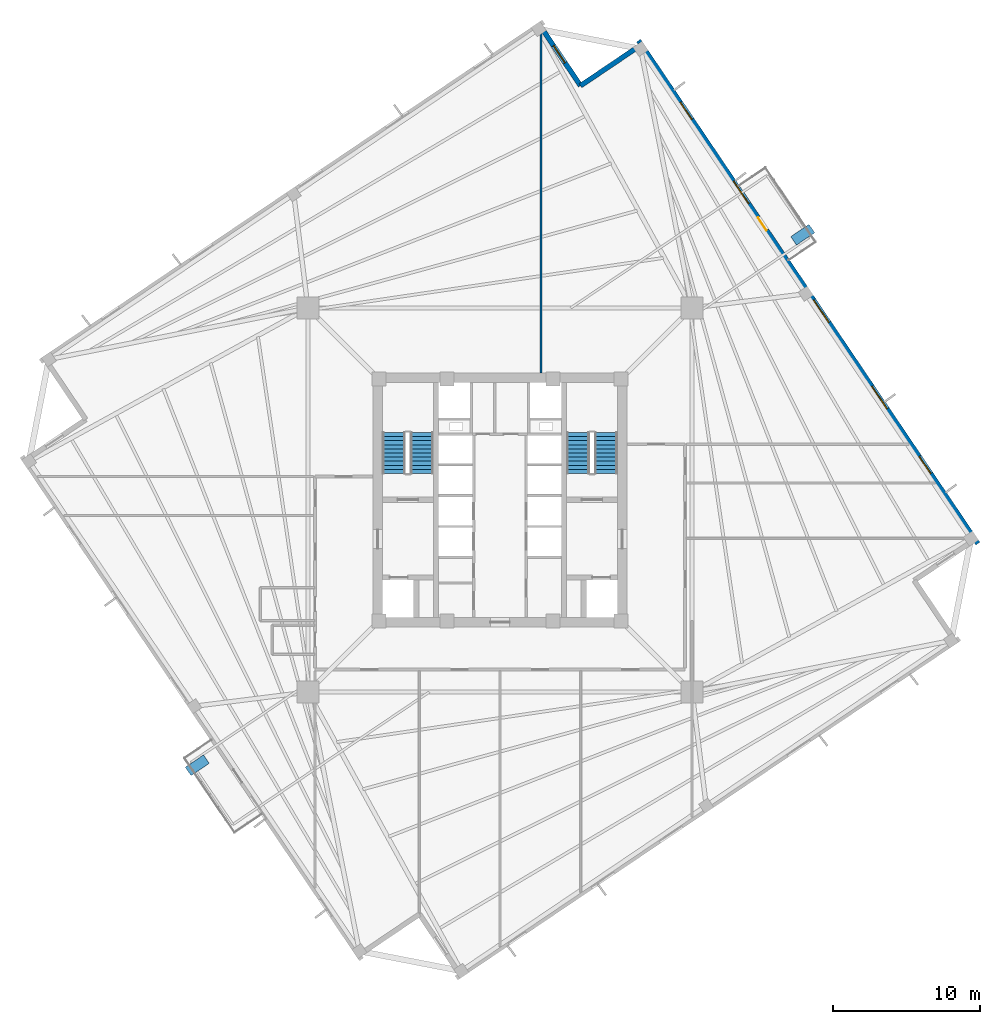
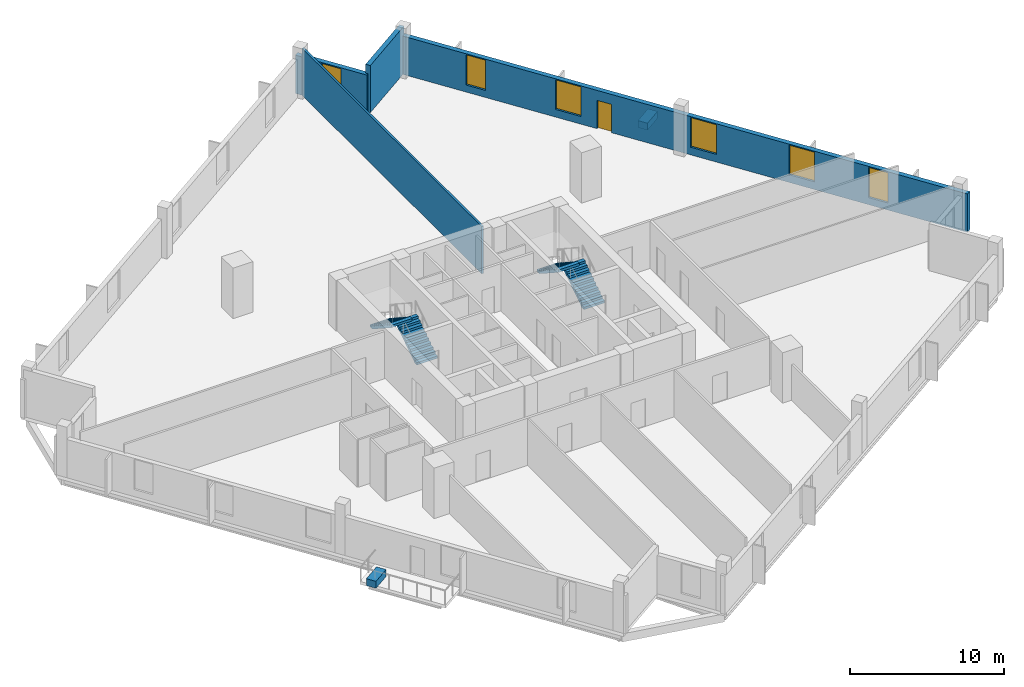
# One storey, part 6 of 9: 6 windows, 4 stair flights, 4 walls, 2 discrete accessories, 1 door, 7 openings, 2 elements without a shape of their own.
"""IFC4 building model written with IfcOpenShell, lengths in metres."""

from ifc_helpers import new_model, si_unit, direction, frame, frame_2d, origin, origin_2d, place, context, subcontext, project, spatial, polyline, rectangle, outline, extrude, source, transform, mapped, material, layer, layer_set, type_object, element, fill, aggregate, save


model = new_model("IFC4")

# Units and contexts
model_context = context("Model", 3, precision=1e-05, world=origin(), true_north=direction((0.0, 1.0)))
body_context = subcontext(model_context, "Body", "Model", "MODEL_VIEW")
ifc_project = project(units=[si_unit("LENGTHUNIT", "METRE"), si_unit("AREAUNIT", "SQUARE_METRE"), si_unit("VOLUMEUNIT", "CUBIC_METRE"), si_unit("PLANEANGLEUNIT", "RADIAN"), si_unit("MASSUNIT", "GRAM", prefix="KILO"), si_unit("THERMODYNAMICTEMPERATUREUNIT", "KELVIN")], contexts=[model_context])

# Site, building, storey
site_placement = place(None, origin())
site = spatial("IfcSite", under=ifc_project, at=site_placement, CompositionType="ELEMENT")
building_placement = place(site_placement, origin())
building = spatial("IfcBuilding", under=site, at=building_placement, Name="Kosmvard Interchange Tower", CompositionType="ELEMENT")
storey_placement = place(building_placement, frame((0.0, 0.0, 192.39990234375)))
storey = spatial("IfcBuildingStorey", under=building, at=storey_placement, Name="L46", CompositionType="ELEMENT", Elevation=192.39990234375)

# Wall
ifc_material_1 = material(Name="Acoustic gypsum partition system")
ifc_layer_1 = layer(ifc_material_1, 0.14990234375, Name="Acoustic gypsum partition system")
ifc_layer_set_1 = layer_set([ifc_layer_1], Name="Acoustic gypsum partition system")
wall_type_1 = type_object("IfcWallType", Name="Acoustic Suite & Meeting Partition 150", PredefinedType="PARTITIONING", material=ifc_layer_set_1)
wall_1_placement = place(storey_placement, frame((2.800048828125, 8.655029296875, 0.0), z_axis=(0.0, 0.0, 1.0), x_axis=(0.0, 1.0, 0.0)))
element("IfcWall", 1, at=wall_1_placement, inside=storey, type_object=wall_type_1, Name="L46 Room Partition 01.1", PredefinedType="PARTITIONING", context=body_context, shape_type="SweptSolid", body=[
    extrude(rectangle(XDim=23.362060546875, YDim=0.14990234375, at=frame_2d((11.68115234375, 0.0))), origin(), (0.0, 0.0, 1.0), 3.739990234375),
])

# Wall, openings, door, windows
ifc_material_2 = material(Name="Precast concrete C45/55", Category="concrete")
ifc_layer_2 = layer(ifc_material_2, 0.340087890625, Name="Precast concrete C45/55")
ifc_layer_set_2 = layer_set([ifc_layer_2], Name="Precast concrete C45/55")
wall_type_2 = type_object("IfcWallType", Name="Mid Tower Precast Pier Wall 340 C45/55", PredefinedType="STANDARD", material=ifc_layer_set_2)
wall_2_placement = place(storey_placement, frame((32.55810546875, -2.971923828125, 0.0), z_axis=(0.0, 0.0, 1.0), x_axis=(-0.559194910251, 0.829036218961, 0.0)))
wall_2 = element("IfcWall", 2, at=wall_2_placement, inside=storey, type_object=wall_type_2, Name="L46 Precast Facade Wall F-E", PredefinedType="STANDARD", context=body_context, shape_type="SweptSolid", body=[
    extrude(rectangle(XDim=41.340087890625, YDim=0.340087890625, at=frame_2d((20.669921875, 0.0))), origin(), (0.0, 0.0, 1.0), 3.0400390625),
])
opening_1_placement = place(wall_2_placement, frame((25.7451171875, 0.0, 0.0)))
opening_1 = element("IfcOpeningElement", 3, at=opening_1_placement, cuts=wall_2, Name="Opening L46-BDE", PredefinedType="OPENING", context=body_context, shape_type="SweptSolid", body=[
    extrude(rectangle(XDim=1.050048828125, YDim=2.25, at=frame_2d((0.52490234375, 1.125))), frame((0.0, 0.18017578125, 0.0), z_axis=(0.0, -1.0, 0.0), x_axis=(1.0, 0.0, 0.0)), (0.0, 0.0, 1.0), 0.360107421875),
])
opening_2_placement = place(wall_2_placement, frame((5.7607421875, 0.0, 0.56005859375)))
opening_2 = element("IfcOpeningElement", 4, at=opening_2_placement, cuts=wall_2, Name="Opening L46-W06", PredefinedType="OPENING", context=body_context, shape_type="SweptSolid", body=[
    extrude(rectangle(XDim=1.39990234375, YDim=2.39990234375, at=frame_2d((0.699951171875, 1.199951171875))), frame((0.0, 0.18017578125, 0.0), z_axis=(0.0, -1.0, 0.0), x_axis=(1.0, 0.0, 0.0)), (0.0, 0.0, 1.0), 0.360107421875),
])
opening_3_placement = place(wall_2_placement, frame((11.063720703125, 0.0, 0.610107421875)))
opening_3 = element("IfcOpeningElement", 5, at=opening_3_placement, cuts=wall_2, Name="Opening L46-W07", PredefinedType="OPENING", context=body_context, shape_type="SweptSolid", body=[
    extrude(rectangle(XDim=1.85009765625, YDim=2.35009765625, at=frame_2d((0.925048828125, 1.175048828125))), frame((0.0, 0.18017578125, 0.0), z_axis=(0.0, -1.0, 0.0), x_axis=(1.0, 0.0, 0.0)), (0.0, 0.0, 1.0), 0.360107421875),
])
opening_4_placement = place(wall_2_placement, frame((18.168212890625, 0.0, 0.610107421875)))
opening_4 = element("IfcOpeningElement", 6, at=opening_4_placement, cuts=wall_2, Name="Opening L46-W08", PredefinedType="OPENING", context=body_context, shape_type="SweptSolid", body=[
    extrude(rectangle(XDim=1.85009765625, YDim=2.35009765625, at=frame_2d((0.925048828125, 1.175048828125))), frame((0.0, 0.18017578125, 0.0), z_axis=(0.0, -1.0, 0.0), x_axis=(1.0, 0.0, 0.0)), (0.0, 0.0, 1.0), 0.360107421875),
])
opening_5_placement = place(wall_2_placement, frame((27.936279296875, 0.0, 0.610107421875)))
opening_5 = element("IfcOpeningElement", 7, at=opening_5_placement, cuts=wall_2, Name="Opening L46-W09", PredefinedType="OPENING", context=body_context, shape_type="SweptSolid", body=[
    extrude(rectangle(XDim=1.85009765625, YDim=2.35009765625, at=frame_2d((0.925048828125, 1.175048828125))), frame((0.0, 0.18017578125, 0.0), z_axis=(0.0, -1.0, 0.0), x_axis=(1.0, 0.0, 0.0)), (0.0, 0.0, 1.0), 0.360107421875),
])
opening_6_placement = place(wall_2_placement, frame((34.852294921875, 0.0, 0.56005859375)))
opening_6 = element("IfcOpeningElement", 8, at=opening_6_placement, cuts=wall_2, Name="Opening L46-W10", PredefinedType="OPENING", context=body_context, shape_type="SweptSolid", body=[
    extrude(rectangle(XDim=1.39990234375, YDim=2.39990234375, at=frame_2d((0.699951171875, 1.199951171875))), frame((0.0, 0.18017578125, 0.0), z_axis=(0.0, -1.0, 0.0), x_axis=(1.0, 0.0, 0.0)), (0.0, 0.0, 1.0), 0.360107421875),
])
ifc_material_3 = material(Name="Anodised aluminium and safety glass", Category="aluminium")
door_type = type_object("IfcDoorType", Name="Tree-Balcony Glazed Door 1050x2250", OperationType="NOTDEFINED", PredefinedType="DOOR", material=ifc_material_3)
shared_shape_1 = source(origin(), body_context, "Body", "SweptSolid", [
    extrude(rectangle(XDim=1.050048828125, YDim=2.25, at=frame_2d((0.52490234375, 1.125))), frame((0.0, 0.02490234375, 0.0), z_axis=(0.0, -1.0, 0.0), x_axis=(1.0, 0.0, 0.0)), (0.0, 0.0, 1.0), 0.050048828125),
])
door_placement = place(opening_1_placement, origin())
door = element("IfcDoor", 9, at=door_placement, inside=storey, type_object=door_type, Name="L46 Tree-Balcony Door BAL-L46-E", OperationType="SINGLE_SWING_LEFT", OverallHeight=2.25, OverallWidth=1.050048828125, PredefinedType="DOOR", context=body_context, shape_type="MappedRepresentation", body=[
    mapped(shared_shape_1, transform((0.0, 0.0, 0.0), scale=1.0)),
])
fill(opening_1, door)
ifc_material_4 = material(Name="Low-E solar-control double glazing", Category="glass")
window_type_1 = type_object("IfcWindowType", Name="Notched Corner Feature Window 1400x2400", PartitioningType="SINGLE_PANEL", PredefinedType="WINDOW", material=ifc_material_4)
shared_shape_2 = source(origin(), body_context, "Body", "SweptSolid", [
    extrude(rectangle(XDim=1.39990234375, YDim=2.39990234375, at=frame_2d((0.699951171875, 1.199951171875))), frame((0.0, 0.030029296875, 0.0), z_axis=(0.0, -1.0, 0.0), x_axis=(1.0, 0.0, 0.0)), (0.0, 0.0, 1.0), 0.06005859375),
])
window_1_placement = place(opening_2_placement, origin())
window_1 = element("IfcWindow", 10, at=window_1_placement, inside=storey, type_object=window_type_1, Name="L46 Facade Punched Window 06", OverallHeight=2.39990234375, OverallWidth=1.39990234375, PartitioningType="SINGLE_PANEL", PredefinedType="WINDOW", context=body_context, shape_type="MappedRepresentation", body=[
    mapped(shared_shape_2, transform((0.0, 0.0, 0.0), scale=1.0)),
])
fill(opening_2, window_1)
window_2_placement = place(opening_6_placement, origin())
window_2 = element("IfcWindow", 11, at=window_2_placement, inside=storey, type_object=window_type_1, Name="L46 Facade Punched Window 10", OverallHeight=2.39990234375, OverallWidth=1.39990234375, PartitioningType="SINGLE_PANEL", PredefinedType="WINDOW", context=body_context, shape_type="MappedRepresentation", body=[
    mapped(shared_shape_2, transform((0.0, 0.0, 0.0), scale=1.0)),
])
fill(opening_6, window_2)
window_type_2 = type_object("IfcWindowType", Name="Zone 3 Office Punched Window 1850x2350", PartitioningType="SINGLE_PANEL", PredefinedType="WINDOW", material=ifc_material_4)
shared_shape_3 = source(origin(), body_context, "Body", "SweptSolid", [
    extrude(rectangle(XDim=1.85009765625, YDim=2.35009765625, at=frame_2d((0.925048828125, 1.175048828125))), frame((0.0, 0.030029296875, 0.0), z_axis=(0.0, -1.0, 0.0), x_axis=(1.0, 0.0, 0.0)), (0.0, 0.0, 1.0), 0.06005859375),
])
window_3_placement = place(opening_3_placement, origin())
window_3 = element("IfcWindow", 12, at=window_3_placement, inside=storey, type_object=window_type_2, Name="L46 Facade Punched Window 07", OverallHeight=2.35009765625, OverallWidth=1.85009765625, PartitioningType="SINGLE_PANEL", PredefinedType="WINDOW", context=body_context, shape_type="MappedRepresentation", body=[
    mapped(shared_shape_3, transform((0.0, 0.0, 0.0), scale=1.0)),
])
fill(opening_3, window_3)
window_4_placement = place(opening_4_placement, origin())
window_4 = element("IfcWindow", 13, at=window_4_placement, inside=storey, type_object=window_type_2, Name="L46 Facade Punched Window 08", OverallHeight=2.35009765625, OverallWidth=1.85009765625, PartitioningType="SINGLE_PANEL", PredefinedType="WINDOW", context=body_context, shape_type="MappedRepresentation", body=[
    mapped(shared_shape_3, transform((0.0, 0.0, 0.0), scale=1.0)),
])
fill(opening_4, window_4)
window_5_placement = place(opening_5_placement, origin())
window_5 = element("IfcWindow", 14, at=window_5_placement, inside=storey, type_object=window_type_2, Name="L46 Facade Punched Window 09", OverallHeight=2.35009765625, OverallWidth=1.85009765625, PartitioningType="SINGLE_PANEL", PredefinedType="WINDOW", context=body_context, shape_type="MappedRepresentation", body=[
    mapped(shared_shape_3, transform((0.0, 0.0, 0.0), scale=1.0)),
])
fill(opening_5, window_5)

# Wall
wall_3_placement = place(storey_placement, frame((9.631103515625, 31.018798828125, 0.0), z_axis=(0.0, 0.0, 1.0), x_axis=(-0.829025804298, -0.559210350234, 0.0)))
element("IfcWall", 15, at=wall_3_placement, inside=storey, type_object=wall_type_2, Name="L46 Precast Facade Wall N-NE1", PredefinedType="STANDARD", context=body_context, shape_type="SweptSolid", body=[
    extrude(rectangle(XDim=5.000244140625, YDim=0.340087890625, at=frame_2d((2.5, 0.0))), origin(), (0.0, 0.0, 1.0), 3.739990234375),
])

# Wall, opening, window
wall_4_placement = place(storey_placement, frame((5.48583984375, 28.22265625, 0.0), z_axis=(0.0, 0.0, 1.0), x_axis=(-0.559171107879, 0.82905227345, 0.0)))
wall_4 = element("IfcWall", 16, at=wall_4_placement, inside=storey, type_object=wall_type_2, Name="L46 Precast Facade Wall N-NE2", PredefinedType="STANDARD", context=body_context, shape_type="SweptSolid", body=[
    extrude(rectangle(XDim=5.169921875, YDim=0.340087890625, at=frame_2d((2.5849609375, 0.0))), origin(), (0.0, 0.0, 1.0), 3.0400390625),
])
opening_7_placement = place(wall_4_placement, frame((1.885009765625, 0.0, 0.56005859375)))
opening_7 = element("IfcOpeningElement", 17, at=opening_7_placement, cuts=wall_4, Name="Opening L46-W22", PredefinedType="OPENING", context=body_context, shape_type="SweptSolid", body=[
    extrude(rectangle(XDim=1.39990234375, YDim=2.39990234375, at=frame_2d((0.699951171875, 1.199951171875))), frame((0.0, 0.18017578125, 0.0), z_axis=(0.0, -1.0, 0.0), x_axis=(1.0, 0.0, 0.0)), (0.0, 0.0, 1.0), 0.360107421875),
])
window_6_placement = place(opening_7_placement, origin())
window_6 = element("IfcWindow", 18, at=window_6_placement, inside=storey, type_object=window_type_1, Name="L46 Corner Notch Window 22", OverallHeight=2.39990234375, OverallWidth=1.39990234375, PartitioningType="SINGLE_PANEL", PredefinedType="WINDOW", context=body_context, shape_type="MappedRepresentation", body=[
    mapped(shared_shape_2, transform((0.0, 0.0, 0.0), scale=1.0)),
])
fill(opening_7, window_6)

# Stair, stair flights
ifc_material_5 = material(Name="Concrete C50/60", Category="concrete")
stair_type = type_object("IfcStairType", Name="Dog-Leg Core Exit Stair H4000 C50/60", PredefinedType="HALF_TURN_STAIR", material=ifc_material_5)
stair_1_placement = place(storey_placement, origin())
stair_1 = element("IfcStair", 19, at=stair_1_placement, inside=storey, type_object=stair_type, Name="L46 Protected Exit Stair ST-1", PredefinedType="HALF_TURN_STAIR")
stair_flight_type = type_object("IfcStairFlightType", Name="Core Stair Flight W1550 H4000 C50/60", PredefinedType="STRAIGHT", material=ifc_material_5)
shared_shape_4 = source(origin(), body_context, "Body", "SweptSolid", [
    extrude(outline(polyline([(0.0, 0.0), (0.0, 0.181884765625), (0.280029296875, 0.181884765625), (0.280029296875, 0.363525390625), (0.56005859375, 0.363525390625), (0.56005859375, 0.54541015625), (0.840087890625, 0.54541015625), (0.840087890625, 0.727294921875), (1.1201171875, 0.727294921875), (1.1201171875, 0.9091796875), (1.39990234375, 0.9091796875), (1.39990234375, 1.0908203125), (1.679931640625, 1.0908203125), (1.679931640625, 1.272705078125), (1.9599609375, 1.272705078125), (1.9599609375, 1.45458984375), (2.239990234375, 1.45458984375), (2.239990234375, 1.636474609375), (2.52001953125, 1.636474609375), (2.52001953125, 1.818115234375), (2.800048828125, 1.818115234375), (2.800048828125, 2.0), (2.800048828125, 1.62744140625), (0.293701171875, 0.0), (0.0, 0.0)])), frame((0.0, 0.77490234375, 0.0), z_axis=(0.0, -1.0, 0.0), x_axis=(1.0, 0.0, 0.0)), (0.0, 0.0, 1.0), 1.550048828125),
])
stair_flight_1_placement = place(storey_placement, frame((-5.31494140625, 1.800048828125, 0.0), z_axis=(0.0, 0.0, 1.0), x_axis=(0.0, 1.0, 0.0)))
stair_flight_1 = element("IfcStairFlight", 20, at=stair_flight_1_placement, type_object=stair_flight_type, Name="ST-1 flight 1", NumberOfRisers=11, NumberOfTreads=10, PredefinedType="STRAIGHT", RiserHeight=0.181818182, TreadLength=0.28, context=body_context, shape_type="MappedRepresentation", body=[
    mapped(shared_shape_4, transform((0.0, 0.0, 0.0), scale=1.0)),
])
stair_flight_2_placement = place(storey_placement, frame((-7.22509765625, 4.60009765625, 2.0), z_axis=(0.0, 0.0, 1.0), x_axis=(0.0, -1.0, 0.0)))
stair_flight_2 = element("IfcStairFlight", 21, at=stair_flight_2_placement, type_object=stair_flight_type, Name="ST-1 flight 2", NumberOfRisers=11, NumberOfTreads=10, PredefinedType="STRAIGHT", RiserHeight=0.181818182, TreadLength=0.28, context=body_context, shape_type="MappedRepresentation", body=[
    mapped(shared_shape_4, transform((0.0, 0.0, 0.0), scale=1.0)),
])
aggregate(stair_1, [stair_flight_1, stair_flight_2])

stair_2_placement = place(storey_placement, origin())
stair_2 = element("IfcStair", 22, at=stair_2_placement, inside=storey, type_object=stair_type, Name="L46 Protected Exit Stair ST-2", PredefinedType="HALF_TURN_STAIR")
stair_flight_3_placement = place(storey_placement, frame((7.22509765625, 1.800048828125, 0.0), z_axis=(0.0, 0.0, 1.0), x_axis=(0.0, 1.0, 0.0)))
stair_flight_3 = element("IfcStairFlight", 23, at=stair_flight_3_placement, type_object=stair_flight_type, Name="ST-2 flight 1", NumberOfRisers=11, NumberOfTreads=10, PredefinedType="STRAIGHT", RiserHeight=0.181818182, TreadLength=0.28, context=body_context, shape_type="MappedRepresentation", body=[
    mapped(shared_shape_4, transform((0.0, 0.0, 0.0), scale=1.0)),
])
stair_flight_4_placement = place(storey_placement, frame((5.31494140625, 4.60009765625, 2.0), z_axis=(0.0, 0.0, 1.0), x_axis=(0.0, -1.0, 0.0)))
stair_flight_4 = element("IfcStairFlight", 24, at=stair_flight_4_placement, type_object=stair_flight_type, Name="ST-2 flight 2", NumberOfRisers=11, NumberOfTreads=10, PredefinedType="STRAIGHT", RiserHeight=0.181818182, TreadLength=0.28, context=body_context, shape_type="MappedRepresentation", body=[
    mapped(shared_shape_4, transform((0.0, 0.0, 0.0), scale=1.0)),
])
aggregate(stair_2, [stair_flight_3, stair_flight_4])

# Discrete accessories
ifc_material_6 = material(Name="Terracotta precast planter concrete C45/55", Category="masonry")
discrete_accessory_type = type_object("IfcDiscreteAccessoryType", Name="Precast Tree-Balcony & Terrace Planter Box", PredefinedType="USERDEFINED", material=ifc_material_6)
shared_shape_5 = source(origin(), body_context, "Body", "SweptSolid", [
    extrude(rectangle(XDim=1.5, YDim=0.699951171875, at=origin_2d()), origin(), (0.0, 0.0, 1.0), 0.550048828125),
])
for number, where, z_axis, x_axis, name in (
    (25, (20.62060546875, 18.0703125, 0.0), (0.0, 0.0, 1.0), (0.829037572555, 0.559192903471, 0.0), "L46 Balcony Tree Planter BAL-L46-E"),
    (26, (-20.62060546875, -18.0703125, 0.0), (0.0, 0.0, 1.0), (0.829037572555, 0.559192903471, 0.0), "L46 Balcony Tree Planter BAL-L46-W"),
):
    element("IfcDiscreteAccessory", number, at=place(storey_placement, frame(where, z_axis=z_axis, x_axis=x_axis)), inside=storey, type_object=discrete_accessory_type, Name=name, ObjectType="PLANTER", PredefinedType="USERDEFINED", context=body_context, shape_type="MappedRepresentation", body=[
        mapped(shared_shape_5, transform((0.0, 0.0, 0.0), scale=1.0)),
    ])

save(model, "model.ifc")
